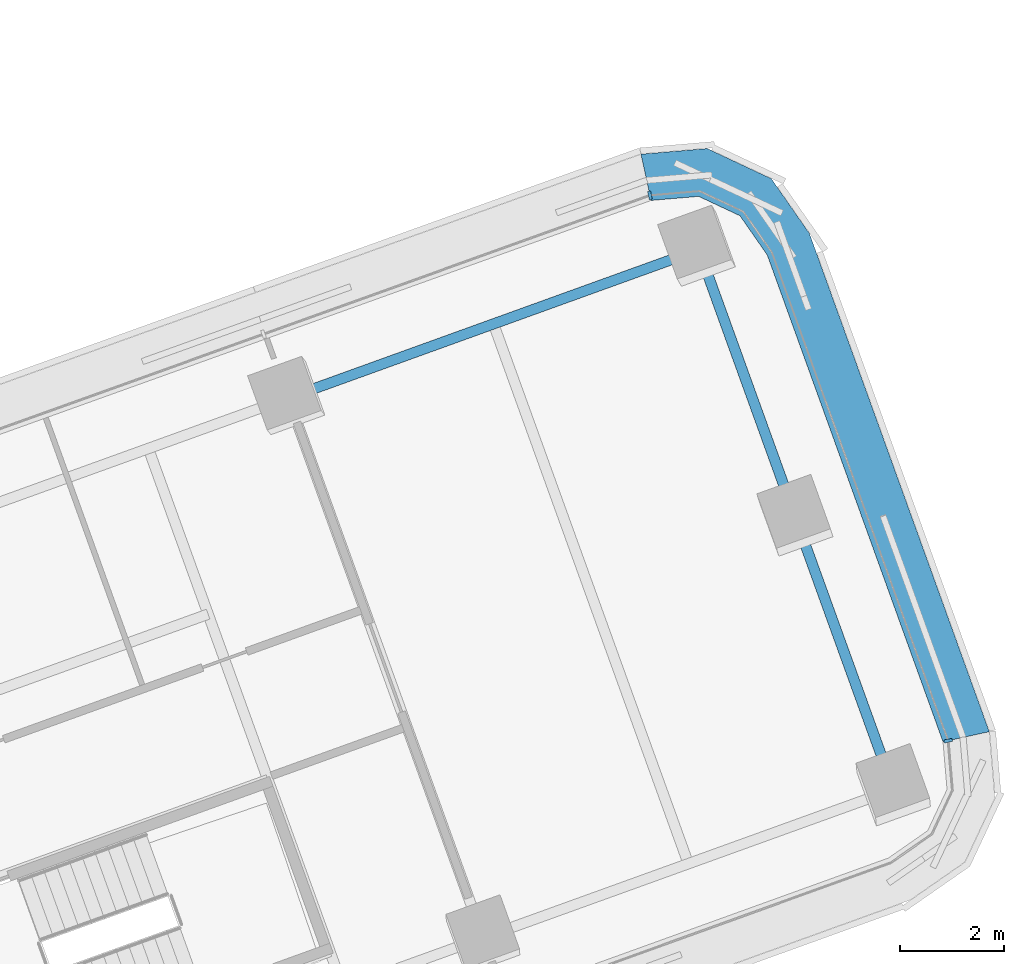
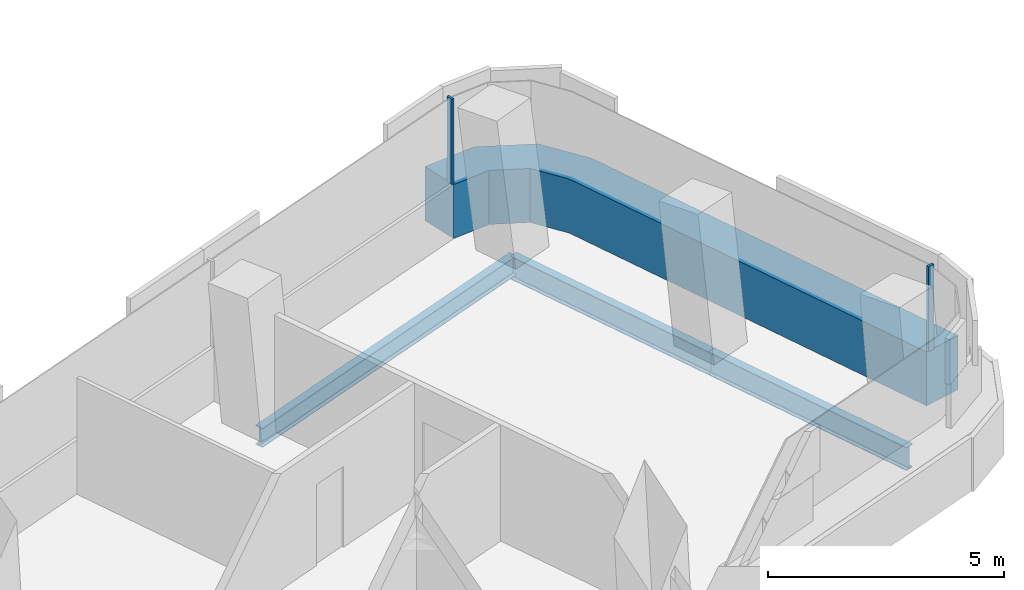
# One storey, part 12 of 30: 3 beams, 3 members, 2 elements without a shape of their own.
"""IFC4 building model written with IfcOpenShell, lengths in metres."""

from ifc_helpers import new_model, si_unit, direction, frame, origin, origin_2d, place, context, subcontext, project, spatial, polyline, rectangle, i_section, outline, extrude, material, layer, layer_set, material_profile, profile_set, type_object, element, aggregate, save


model = new_model("IFC4")

# Units and contexts
model_context = context("Model", 3, precision=1e-05, world=origin(), true_north=direction((0.0, 1.0)))
body_context = subcontext(model_context, "Body", "Model", "MODEL_VIEW")
ifc_project = project(units=[si_unit("LENGTHUNIT", "METRE"), si_unit("AREAUNIT", "SQUARE_METRE"), si_unit("VOLUMEUNIT", "CUBIC_METRE"), si_unit("PLANEANGLEUNIT", "RADIAN"), si_unit("MASSUNIT", "GRAM", prefix="KILO")], contexts=[model_context])

# Site, building, storey
site_placement = place(None, origin())
site = spatial("IfcSite", under=ifc_project, at=site_placement, CompositionType="ELEMENT")
building_placement = place(site_placement, origin())
building = spatial("IfcBuilding", under=site, at=building_placement, Name="Tamarind Cross Interchange Tower", CompositionType="ELEMENT")
storey_placement = place(building_placement, frame((0.0, 0.0, 106.0)))
storey = spatial("IfcBuildingStorey", under=building, at=storey_placement, Name="L25", CompositionType="ELEMENT", Elevation=106.0)

# Beams
ifc_material_1 = material(Name="Steel Q355B", Category="steel")
ifc_material_profile_1 = material_profile(ifc_material_1, i_section(OverallWidth=0.198974609375, OverallDepth=0.49609375, WebThickness=0.009033203125, FlangeThickness=0.013916015625, FilletRadius=0.012939453125, at=origin_2d()), Name="HN 496x199x9x14")
ifc_profile_set_1 = profile_set([ifc_material_profile_1], Name="Steel Q355B")
beam_type_1 = type_object("IfcBeamType", Name="Composite beam HN 496x199x9x14 Q355B", PredefinedType="BEAM", material=ifc_profile_set_1)
beam_1_placement = place(storey_placement, frame((44.274658203125, 13.889404296875, -0.387939453125), z_axis=(-0.94057383392, -0.339589256227, 0.0), x_axis=(0.339589256227, -0.94057383392, 0.0)))
element("IfcBeam", 1, at=beam_1_placement, inside=storey, type_object=beam_type_1, Name="Beam E-edgeep2", PredefinedType="BEAM", context=body_context, shape_type="SweptSolid", body=[
    extrude(i_section(OverallWidth=0.198974609375, OverallDepth=0.49609375, WebThickness=0.009033203125, FlangeThickness=0.013916015625, FilletRadius=0.012939453125, at=origin_2d()), origin(), (0.0, 0.0, 1.0), 8.36767578125),
])
ifc_material_profile_2 = material_profile(ifc_material_1, i_section(OverallWidth=0.199951171875, OverallDepth=0.60009765625, WebThickness=0.010986328125, FlangeThickness=0.01708984375, FilletRadius=0.012939453125, at=origin_2d()), Name="HN 600x200x11x17")
ifc_profile_set_2 = profile_set([ifc_material_profile_2], Name="Steel Q355B")
beam_type_2 = type_object("IfcBeamType", Name="Composite beam HN 600x200x11x17 Q355B", PredefinedType="BEAM", material=ifc_profile_set_2)
beam_2_placement = place(storey_placement, frame((48.010009765625, 3.54296875, -0.43994140625), z_axis=(-0.339582286957, 0.940576350109, 0.0), x_axis=(-0.940576350109, -0.339582286957, 0.0)))
element("IfcBeam", 2, at=beam_2_placement, inside=storey, type_object=beam_type_2, Name="Beam E-tip0", PredefinedType="BEAM", context=body_context, shape_type="SweptSolid", body=[
    extrude(i_section(OverallWidth=0.199951171875, OverallDepth=0.60009765625, WebThickness=0.010986328125, FlangeThickness=0.01708984375, FilletRadius=0.012939453125, at=origin_2d()), origin(), (0.0, 0.0, 1.0), 5.5),
])
beam_3_placement = place(storey_placement, frame((46.142333984375, 8.716064453125, -0.43994140625), z_axis=(-0.339568109259, 0.940581468653, 0.0), x_axis=(-0.940581468653, -0.339568109259, 0.0)))
element("IfcBeam", 3, at=beam_3_placement, inside=storey, type_object=beam_type_2, Name="Beam E-tip1", PredefinedType="BEAM", context=body_context, shape_type="SweptSolid", body=[
    extrude(i_section(OverallWidth=0.199951171875, OverallDepth=0.60009765625, WebThickness=0.010986328125, FlangeThickness=0.01708984375, FilletRadius=0.012939453125, at=origin_2d()), origin(), (0.0, 0.0, 1.0), 5.500244140625),
])

# Curtain wall, members
ifc_material_2 = material(Name="Aluminium 6063-T6", Category="aluminium")
ifc_layer = layer(ifc_material_2, 0.159912109375)
ifc_layer_set = layer_set([ifc_layer], Name="Aluminium 6063-T6")
curtain_wall_type = type_object("IfcCurtainWallType", Name="Office curtain wall, 9.0 m bays", PredefinedType="NOTDEFINED", material=ifc_layer_set)
curtain_wall_1_placement = place(storey_placement, origin())
curtain_wall_1 = element("IfcCurtainWall", 4, at=curtain_wall_1_placement, inside=storey, type_object=curtain_wall_type, Name="CWS-L25-08", PredefinedType="NOTDEFINED")
ifc_material_3 = material(Name="Aluminium and insulated spandrel panel", Category="aluminium")
member_type_1 = type_object("IfcMemberType", Name="Floor-edge blade transom", PredefinedType="USERDEFINED", material=ifc_material_3)
member_1_placement = place(storey_placement, origin())
member_1 = element("IfcMember", 5, at=member_1_placement, type_object=member_type_1, Name="CWT-L25-08", ObjectType="TRANSOM", PredefinedType="USERDEFINED", context=body_context, shape_type="SweptSolid", body=[
    extrude(outline(polyline([(48.955322265625, 4.457763671875), (45.58642578125, 13.789306640625), (45.0634765625, 14.54052734375), (44.271728515625, 14.912109375), (43.359375, 14.834716796875), (43.166015625, 15.7216796875), (44.43603515625, 15.829345703125), (45.6640625, 15.252685546875), (46.392822265625, 14.20654296875), (49.84228515625, 4.652099609375), (48.955322265625, 4.457763671875)])), origin(), (0.0, 0.0, 1.0), 1.39990234375),
])
ifc_material_profile_3 = material_profile(ifc_material_2, rectangle(XDim=0.06005859375, YDim=0.159912109375, at=origin_2d()), Name="Mullion CW1")
ifc_profile_set_3 = profile_set([ifc_material_profile_3], Name="Aluminium 6063-T6")
member_type_2 = type_object("IfcMemberType", Name="Mullion CW1", PredefinedType="MULLION", material=ifc_profile_set_3)
member_2_placement = place(storey_placement, frame((49.053955078125, 4.4794921875, 1.39990234375), z_axis=(0.0, 0.0, 1.0), x_axis=(-0.213903397408, 0.976854818577, 0.0)))
member_2 = element("IfcMember", 6, at=member_2_placement, type_object=member_type_2, Name="CWM-L25-08-00", PredefinedType="MULLION", context=body_context, shape_type="SweptSolid", body=[
    extrude(rectangle(XDim=0.06005859375, YDim=0.159912109375, at=origin_2d()), origin(), (0.0, 0.0, 1.0), 2.210205078125),
])
aggregate(curtain_wall_1, [member_2, member_1])

# Curtain wall, member
curtain_wall_2_placement = place(storey_placement, origin())
curtain_wall_2 = element("IfcCurtainWall", 7, at=curtain_wall_2_placement, inside=storey, type_object=curtain_wall_type, Name="CWS-L25-09", PredefinedType="NOTDEFINED")
member_3_placement = place(storey_placement, frame((43.337890625, 14.933349609375, 1.39990234375), z_axis=(0.0, 0.0, 1.0), x_axis=(-0.977019319817, -0.213150765198, 0.0)))
member_3 = element("IfcMember", 8, at=member_3_placement, type_object=member_type_2, Name="CWM-L25-09-00", PredefinedType="MULLION", context=body_context, shape_type="SweptSolid", body=[
    extrude(rectangle(XDim=0.06005859375, YDim=0.159912109375, at=origin_2d()), origin(), (0.0, 0.0, 1.0), 2.210205078125),
])
aggregate(curtain_wall_2, [member_3])

save(model, "model.ifc")
